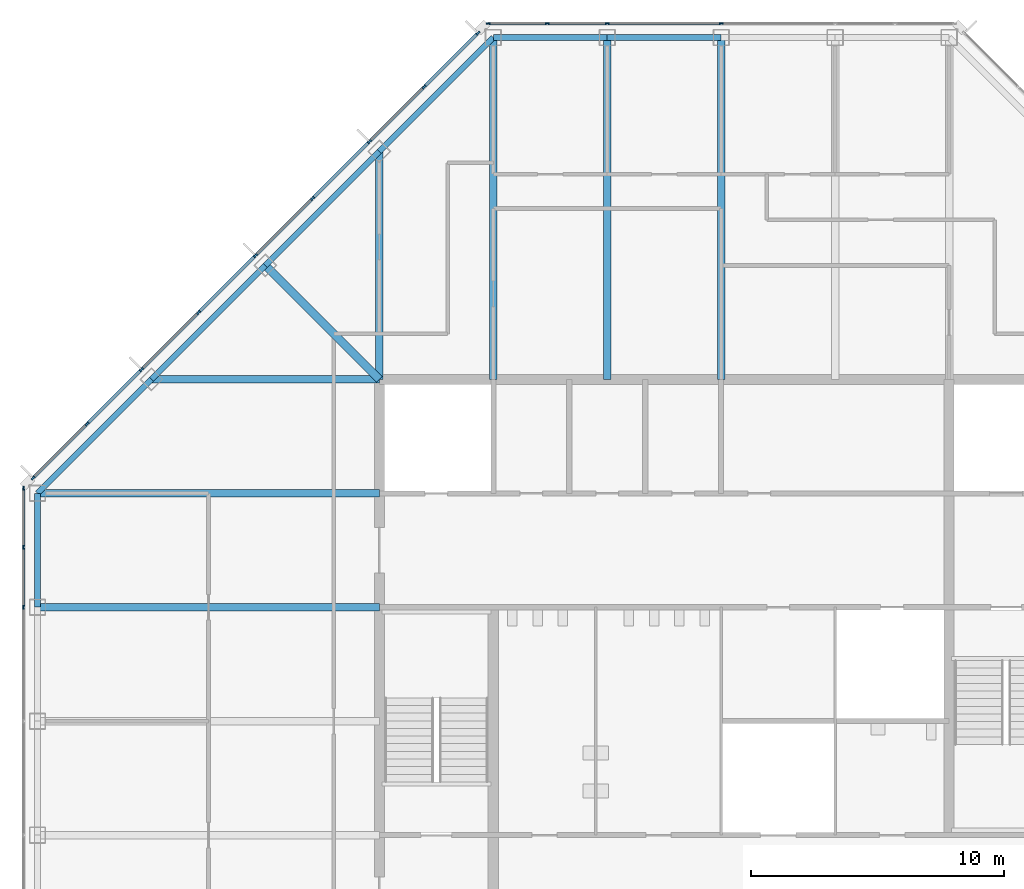
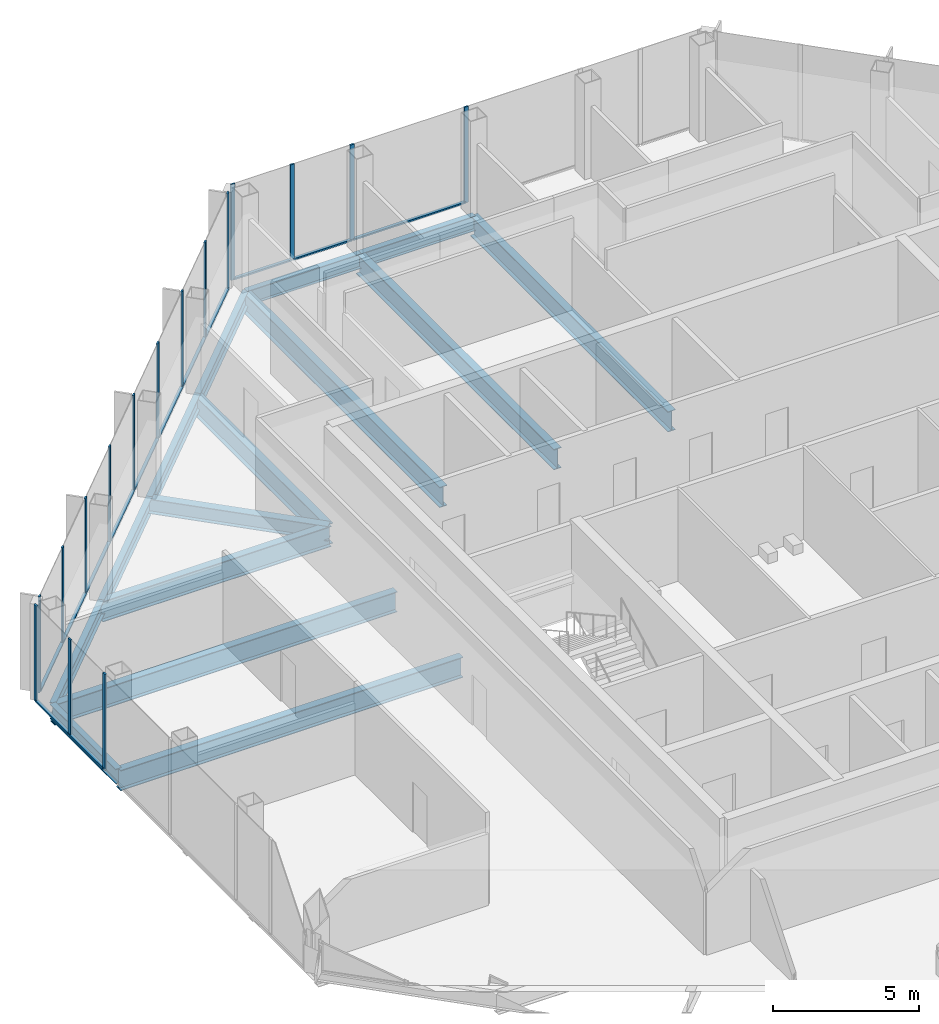
# One storey, part 6 of 14: 29 members, 15 beams, 3 elements without a shape of their own.
"""IFC4 building model written with IfcOpenShell, lengths in metres."""

from ifc_helpers import new_model, si_unit, direction, frame, origin, origin_2d, place, context, subcontext, project, spatial, rectangle, i_section, extrude, material, material_profile, profile_set, type_object, element, aggregate, save


model = new_model("IFC4")

# Units and contexts
model_context = context("Model", 3, precision=1e-05, world=origin(), true_north=direction((0.0, 1.0)))
body_context = subcontext(model_context, "Body", "Model", "MODEL_VIEW")
ifc_project = project(units=[si_unit("LENGTHUNIT", "METRE"), si_unit("AREAUNIT", "SQUARE_METRE"), si_unit("VOLUMEUNIT", "CUBIC_METRE"), si_unit("PLANEANGLEUNIT", "RADIAN"), si_unit("MASSUNIT", "GRAM", prefix="KILO")], contexts=[model_context])

# Site, building, storey
site_placement = place(None, origin())
site = spatial("IfcSite", under=ifc_project, at=site_placement, CompositionType="ELEMENT")
building_placement = place(site_placement, origin())
building = spatial("IfcBuilding", under=site, at=building_placement, Name="Corais Broadcast Tower", CompositionType="ELEMENT")
storey_placement = place(building_placement, frame((0.0, 0.0, 258.60009765625)))
storey = spatial("IfcBuildingStorey", under=building, at=storey_placement, Name="L60", CompositionType="ELEMENT", Elevation=258.60009765625)

# Beams
ifc_material_1 = material(Name="Steel ASTM A572 Grade 50", Category="steel")
ifc_material_profile_1 = material_profile(ifc_material_1, i_section(OverallWidth=0.323974609375, OverallDepth=0.611083984375, WebThickness=0.0126953125, FlangeThickness=0.01904296875, at=origin_2d()), Name="W610x155")
ifc_profile_set_1 = profile_set([ifc_material_profile_1], Name="Steel ASTM A572 Grade 50")
beam_type_1 = type_object("IfcBeamType", Name="Corner diagonal W610x155", PredefinedType="BEAM", material=ifc_profile_set_1)
beam_1_placement = place(storey_placement, frame((9.0, 45.0, -0.465576171875), z_axis=(0.707106781187, -0.707106781187, 0.0), x_axis=(0.707106781187, 0.707106781187, 0.0)))
element("IfcBeam", 1, at=beam_1_placement, inside=storey, type_object=beam_type_1, Name="B6 L/5 to K/6", PredefinedType="BEAM", context=body_context, shape_type="SweptSolid", body=[
    extrude(i_section(OverallWidth=0.323974609375, OverallDepth=0.611083984375, WebThickness=0.0126953125, FlangeThickness=0.01904296875, at=origin_2d()), origin(), (0.0, 0.0, 1.0), 6.364013671875),
])
ifc_material_2 = material(Name="Steel ASTM A572 Grade 50", Category="steel")
ifc_material_profile_2 = material_profile(ifc_material_2, i_section(OverallWidth=0.2939453125, OverallDepth=0.85107421875, WebThickness=0.01611328125, FlangeThickness=0.02685546875, at=origin_2d()), Name="W840x226")
ifc_profile_set_2 = profile_set([ifc_material_profile_2], Name="Steel ASTM A572 Grade 50")
beam_type_2 = type_object("IfcBeamType", Name="Floor beam W840x226", PredefinedType="BEAM", material=ifc_profile_set_2)
for number, where, z_axis, x_axis, name in (
    (2, (0.0, 31.5, -0.585693359375), (1.0, 0.0, 0.0), (0.0, 1.0, 0.0), "B1 H/3 to H/6"),
    (3, (0.0, 36.0, -0.585693359375), (1.0, 0.0, 0.0), (0.0, 1.0, 0.0), "B1 J/3 to J/6"),
):
    element("IfcBeam", number, at=place(storey_placement, frame(where, z_axis=z_axis, x_axis=x_axis)), inside=storey, type_object=beam_type_2, Name=name, PredefinedType="BEAM", context=body_context, shape_type="SweptSolid", body=[
        extrude(i_section(OverallWidth=0.2939453125, OverallDepth=0.85107421875, WebThickness=0.01611328125, FlangeThickness=0.02685546875, at=origin_2d()), origin(), (0.0, 0.0, 1.0), 13.5),
    ])
beam_2_placement = place(storey_placement, frame((13.5, 49.5, -0.585693359375), z_axis=(0.0, -1.0, 0.0), x_axis=(1.0, 0.0, 0.0)))
element("IfcBeam", 4, at=beam_2_placement, inside=storey, type_object=beam_type_2, Name="B1 M/6 to K/6", PredefinedType="BEAM", context=body_context, shape_type="SweptSolid", body=[
    extrude(i_section(OverallWidth=0.2939453125, OverallDepth=0.85107421875, WebThickness=0.01611328125, FlangeThickness=0.02685546875, at=origin_2d()), origin(), (0.0, 0.0, 1.0), 9.0),
])
for number, where, z_axis, x_axis, name in (
    (5, (18.0, 54.0, -0.585693359375), (0.0, -1.0, 0.0), (1.0, 0.0, 0.0), "B1 N/7 to K/7"),
    (6, (22.5, 54.0, -0.585693359375), (0.0, -1.0, 0.0), (1.0, 0.0, 0.0), "B1 N/8 to K/8"),
    (7, (27.0, 54.0, -0.585693359375), (0.0, -1.0, 0.0), (1.0, 0.0, 0.0), "B1 N/9 to K/9"),
):
    element("IfcBeam", number, at=place(storey_placement, frame(where, z_axis=z_axis, x_axis=x_axis)), inside=storey, type_object=beam_type_2, Name=name, PredefinedType="BEAM", context=body_context, shape_type="SweptSolid", body=[
        extrude(i_section(OverallWidth=0.2939453125, OverallDepth=0.85107421875, WebThickness=0.01611328125, FlangeThickness=0.02685546875, at=origin_2d()), origin(), (0.0, 0.0, 1.0), 13.5),
    ])
beam_3_placement = place(storey_placement, frame((4.5, 40.5, -0.585693359375), z_axis=(1.0, 0.0, 0.0), x_axis=(0.0, 1.0, 0.0)))
element("IfcBeam", 8, at=beam_3_placement, inside=storey, type_object=beam_type_2, Name="B1 K/4 to K/6", PredefinedType="BEAM", context=body_context, shape_type="SweptSolid", body=[
    extrude(i_section(OverallWidth=0.2939453125, OverallDepth=0.85107421875, WebThickness=0.01611328125, FlangeThickness=0.02685546875, at=origin_2d()), origin(), (0.0, 0.0, 1.0), 9.0),
])

# Curtain wall, members
ifc_material_3 = material(Name="Aluminium and glass", Category="aluminium")
curtain_wall_type = type_object("IfcCurtainWallType", Name="Unitised fritted curtain wall CW3", PredefinedType="NOTDEFINED", material=ifc_material_3)
curtain_wall_1_placement = place(storey_placement, origin())
curtain_wall_1 = element("IfcCurtainWall", 9, at=curtain_wall_1_placement, inside=storey, type_object=curtain_wall_type, Name="CW3 curtain wall L60 2", PredefinedType="NOTDEFINED")
ifc_material_4 = material(Name="Aluminium 6063-T6", Category="aluminium")
ifc_material_profile_3 = material_profile(ifc_material_4, rectangle(XDim=0.06494140625, YDim=0.159912109375, at=origin_2d()), Name="Mullion CW3 65x160")
ifc_profile_set_3 = profile_set([ifc_material_profile_3], Name="Aluminium 6063-T6")
member_type_1 = type_object("IfcMemberType", Name="Mullion CW3 65x160", PredefinedType="MULLION", material=ifc_profile_set_3)
member_1_placement = place(storey_placement, frame((-0.550048828125, 31.5, 0.0), z_axis=(0.0, 0.0, 1.0), x_axis=(-1.0, 0.0, 0.0)))
member_1 = element("IfcMember", 10, at=member_1_placement, type_object=member_type_1, Name="CW3 mullion 5", PredefinedType="MULLION", context=body_context, shape_type="SweptSolid", body=[
    extrude(rectangle(XDim=0.06494140625, YDim=0.159912109375, at=origin_2d()), origin(), (0.0, 0.0, 1.0), 4.0),
])
member_2_placement = place(storey_placement, frame((-0.550048828125, 33.864013671875, 0.0), z_axis=(0.0, 0.0, 1.0), x_axis=(-1.0, 0.0, 0.0)))
member_2 = element("IfcMember", 11, at=member_2_placement, type_object=member_type_1, Name="CW3 mullion 6", PredefinedType="MULLION", context=body_context, shape_type="SweptSolid", body=[
    extrude(rectangle(XDim=0.06494140625, YDim=0.159912109375, at=origin_2d()), origin(), (0.0, 0.0, 1.0), 4.0),
])
member_3_placement = place(storey_placement, frame((-0.550048828125, 36.1953125, 0.0), z_axis=(0.0, 0.0, 1.0), x_axis=(-1.0, 0.0, 0.0)))
member_3 = element("IfcMember", 12, at=member_3_placement, type_object=member_type_1, Name="CW3 mullion 7", PredefinedType="MULLION", context=body_context, shape_type="SweptSolid", body=[
    extrude(rectangle(XDim=0.06494140625, YDim=0.159912109375, at=origin_2d()), origin(), (0.0, 0.0, 1.0), 4.0),
])

curtain_wall_2_placement = place(storey_placement, origin())
curtain_wall_2 = element("IfcCurtainWall", 13, at=curtain_wall_2_placement, inside=storey, type_object=curtain_wall_type, Name="CW3 curtain wall L60 3", PredefinedType="NOTDEFINED")
member_4_placement = place(storey_placement, frame((-0.17333984375, 36.6044921875, 0.0), z_axis=(0.0, 0.0, 1.0), x_axis=(-0.707106781187, 0.707106781187, 0.0)))
member_4 = element("IfcMember", 14, at=member_4_placement, type_object=member_type_1, Name="CW3 mullion 1", PredefinedType="MULLION", context=body_context, shape_type="SweptSolid", body=[
    extrude(rectangle(XDim=0.06494140625, YDim=0.159912109375, at=origin_2d()), origin(), (0.0, 0.0, 1.0), 4.0),
])
member_5_placement = place(storey_placement, frame((1.957275390625, 38.735107421875, 0.0), z_axis=(0.0, 0.0, 1.0), x_axis=(-0.707106781187, 0.707106781187, 0.0)))
member_5 = element("IfcMember", 15, at=member_5_placement, type_object=member_type_1, Name="CW3 mullion 2", PredefinedType="MULLION", context=body_context, shape_type="SweptSolid", body=[
    extrude(rectangle(XDim=0.06494140625, YDim=0.159912109375, at=origin_2d()), origin(), (0.0, 0.0, 1.0), 4.0),
])
member_6_placement = place(storey_placement, frame((4.111083984375, 40.888916015625, 0.0), z_axis=(0.0, 0.0, 1.0), x_axis=(-0.707106781187, 0.707106781187, 0.0)))
member_6 = element("IfcMember", 16, at=member_6_placement, type_object=member_type_1, Name="CW3 mullion 3", PredefinedType="MULLION", context=body_context, shape_type="SweptSolid", body=[
    extrude(rectangle(XDim=0.06494140625, YDim=0.159912109375, at=origin_2d()), origin(), (0.0, 0.0, 1.0), 4.0),
])
member_7_placement = place(storey_placement, frame((6.361083984375, 43.138916015625, 0.0), z_axis=(0.0, 0.0, 1.0), x_axis=(-0.707106781187, 0.707106781187, 0.0)))
member_7 = element("IfcMember", 17, at=member_7_placement, type_object=member_type_1, Name="CW3 mullion 4", PredefinedType="MULLION", context=body_context, shape_type="SweptSolid", body=[
    extrude(rectangle(XDim=0.06494140625, YDim=0.159912109375, at=origin_2d()), origin(), (0.0, 0.0, 1.0), 4.0),
])
member_8_placement = place(storey_placement, frame((8.611083984375, 45.388916015625, 0.0), z_axis=(0.0, 0.0, 1.0), x_axis=(-0.707106781187, 0.707106781187, 0.0)))
member_8 = element("IfcMember", 18, at=member_8_placement, type_object=member_type_1, Name="CW3 mullion 5", PredefinedType="MULLION", context=body_context, shape_type="SweptSolid", body=[
    extrude(rectangle(XDim=0.06494140625, YDim=0.159912109375, at=origin_2d()), origin(), (0.0, 0.0, 1.0), 4.0),
])
member_9_placement = place(storey_placement, frame((10.861083984375, 47.638916015625, 0.0), z_axis=(0.0, 0.0, 1.0), x_axis=(-0.707106781187, 0.707106781187, 0.0)))
member_9 = element("IfcMember", 19, at=member_9_placement, type_object=member_type_1, Name="CW3 mullion 6", PredefinedType="MULLION", context=body_context, shape_type="SweptSolid", body=[
    extrude(rectangle(XDim=0.06494140625, YDim=0.159912109375, at=origin_2d()), origin(), (0.0, 0.0, 1.0), 4.0),
])
member_10_placement = place(storey_placement, frame((13.111083984375, 49.888916015625, 0.0), z_axis=(0.0, 0.0, 1.0), x_axis=(-0.707106781187, 0.707106781187, 0.0)))
member_10 = element("IfcMember", 20, at=member_10_placement, type_object=member_type_1, Name="CW3 mullion 7", PredefinedType="MULLION", context=body_context, shape_type="SweptSolid", body=[
    extrude(rectangle(XDim=0.06494140625, YDim=0.159912109375, at=origin_2d()), origin(), (0.0, 0.0, 1.0), 4.0),
])
member_11_placement = place(storey_placement, frame((15.264892578125, 52.042724609375, 0.0), z_axis=(0.0, 0.0, 1.0), x_axis=(-0.707106781187, 0.707106781187, 0.0)))
member_11 = element("IfcMember", 21, at=member_11_placement, type_object=member_type_1, Name="CW3 mullion 8", PredefinedType="MULLION", context=body_context, shape_type="SweptSolid", body=[
    extrude(rectangle(XDim=0.06494140625, YDim=0.159912109375, at=origin_2d()), origin(), (0.0, 0.0, 1.0), 4.0),
])
member_12_placement = place(storey_placement, frame((17.3955078125, 54.17333984375, 0.0), z_axis=(0.0, 0.0, 1.0), x_axis=(-0.707106781187, 0.707106781187, 0.0)))
member_12 = element("IfcMember", 22, at=member_12_placement, type_object=member_type_1, Name="CW3 mullion 9", PredefinedType="MULLION", context=body_context, shape_type="SweptSolid", body=[
    extrude(rectangle(XDim=0.06494140625, YDim=0.159912109375, at=origin_2d()), origin(), (0.0, 0.0, 1.0), 4.0),
])

curtain_wall_3_placement = place(storey_placement, origin())
curtain_wall_3 = element("IfcCurtainWall", 23, at=curtain_wall_3_placement, inside=storey, type_object=curtain_wall_type, Name="CW3 curtain wall L60 4", PredefinedType="NOTDEFINED")
member_13_placement = place(storey_placement, frame((17.8046875, 54.550048828125, 0.0), z_axis=(0.0, 0.0, 1.0), x_axis=(0.0, 1.0, 0.0)))
member_13 = element("IfcMember", 24, at=member_13_placement, type_object=member_type_1, Name="CW3 mullion 1", PredefinedType="MULLION", context=body_context, shape_type="SweptSolid", body=[
    extrude(rectangle(XDim=0.06494140625, YDim=0.159912109375, at=origin_2d()), origin(), (0.0, 0.0, 1.0), 4.0),
])
member_14_placement = place(storey_placement, frame((20.135986328125, 54.550048828125, 0.0), z_axis=(0.0, 0.0, 1.0), x_axis=(0.0, 1.0, 0.0)))
member_14 = element("IfcMember", 25, at=member_14_placement, type_object=member_type_1, Name="CW3 mullion 2", PredefinedType="MULLION", context=body_context, shape_type="SweptSolid", body=[
    extrude(rectangle(XDim=0.06494140625, YDim=0.159912109375, at=origin_2d()), origin(), (0.0, 0.0, 1.0), 4.0),
])
member_15_placement = place(storey_placement, frame((22.5, 54.550048828125, 0.0), z_axis=(0.0, 0.0, 1.0), x_axis=(0.0, 1.0, 0.0)))
member_15 = element("IfcMember", 26, at=member_15_placement, type_object=member_type_1, Name="CW3 mullion 3", PredefinedType="MULLION", context=body_context, shape_type="SweptSolid", body=[
    extrude(rectangle(XDim=0.06494140625, YDim=0.159912109375, at=origin_2d()), origin(), (0.0, 0.0, 1.0), 4.0),
])
member_16_placement = place(storey_placement, frame((27.0, 54.550048828125, 0.0), z_axis=(0.0, 0.0, 1.0), x_axis=(0.0, 1.0, 0.0)))
member_16 = element("IfcMember", 27, at=member_16_placement, type_object=member_type_1, Name="CW3 mullion 4", PredefinedType="MULLION", context=body_context, shape_type="SweptSolid", body=[
    extrude(rectangle(XDim=0.06494140625, YDim=0.159912109375, at=origin_2d()), origin(), (0.0, 0.0, 1.0), 4.0),
])

# Beams
ifc_material_5 = material(Name="Steel ASTM A572 Grade 50", Category="steel")
ifc_material_profile_4 = material_profile(ifc_material_5, i_section(OverallWidth=0.22998046875, OverallDepth=0.616943359375, WebThickness=0.01318359375, FlangeThickness=0.022216796875, at=origin_2d()), Name="W610x140")
ifc_profile_set_4 = profile_set([ifc_material_profile_4], Name="Steel ASTM A572 Grade 50")
beam_type_3 = type_object("IfcBeamType", Name="Spandrel W610x140", PredefinedType="BEAM", material=ifc_profile_set_4)
beam_4_placement = place(storey_placement, frame((0.0, 36.0, -0.468505859375), z_axis=(0.0, -1.0, 0.0), x_axis=(1.0, 0.0, 0.0)))
element("IfcBeam", 28, at=beam_4_placement, inside=storey, type_object=beam_type_3, Name="SB3 J/3 to H/3", PredefinedType="BEAM", context=body_context, shape_type="SweptSolid", body=[
    extrude(i_section(OverallWidth=0.22998046875, OverallDepth=0.616943359375, WebThickness=0.01318359375, FlangeThickness=0.022216796875, at=origin_2d()), origin(), (0.0, 0.0, 1.0), 4.5),
])
for number, where, z_axis, x_axis, name in (
    (29, (13.5, 49.5, -0.468505859375), (-0.707106781187, -0.707106781187, 0.0), (0.707106781187, -0.707106781187, 0.0), "SB3 M/6 to L/5"),
    (30, (18.0, 54.0, -0.468505859375), (-0.707106781187, -0.707106781187, 0.0), (0.707106781187, -0.707106781187, 0.0), "SB3 N/7 to M/6"),
):
    element("IfcBeam", number, at=place(storey_placement, frame(where, z_axis=z_axis, x_axis=x_axis)), inside=storey, type_object=beam_type_3, Name=name, PredefinedType="BEAM", context=body_context, shape_type="SweptSolid", body=[
        extrude(i_section(OverallWidth=0.22998046875, OverallDepth=0.616943359375, WebThickness=0.01318359375, FlangeThickness=0.022216796875, at=origin_2d()), origin(), (0.0, 0.0, 1.0), 6.364013671875),
    ])
for number, where, z_axis, x_axis, name in (
    (31, (22.5, 54.0, -0.468505859375), (-1.0, 0.0, 0.0), (0.0, -1.0, 0.0), "SB3 N/8 to N/7"),
    (32, (27.0, 54.0, -0.468505859375), (-1.0, 0.0, 0.0), (0.0, -1.0, 0.0), "SB3 N/9 to N/8"),
):
    element("IfcBeam", number, at=place(storey_placement, frame(where, z_axis=z_axis, x_axis=x_axis)), inside=storey, type_object=beam_type_3, Name=name, PredefinedType="BEAM", context=body_context, shape_type="SweptSolid", body=[
        extrude(i_section(OverallWidth=0.22998046875, OverallDepth=0.616943359375, WebThickness=0.01318359375, FlangeThickness=0.022216796875, at=origin_2d()), origin(), (0.0, 0.0, 1.0), 4.5),
    ])
for number, where, z_axis, x_axis, name in (
    (33, (4.5, 40.5, -0.468505859375), (-0.707106781187, -0.707106781187, 0.0), (0.707106781187, -0.707106781187, 0.0), "SB3 K/4 to J/3"),
    (34, (9.0, 45.0, -0.468505859375), (-0.707106781187, -0.707106781187, 0.0), (0.707106781187, -0.707106781187, 0.0), "SB3 L/5 to K/4"),
):
    element("IfcBeam", number, at=place(storey_placement, frame(where, z_axis=z_axis, x_axis=x_axis)), inside=storey, type_object=beam_type_3, Name=name, PredefinedType="BEAM", context=body_context, shape_type="SweptSolid", body=[
        extrude(i_section(OverallWidth=0.22998046875, OverallDepth=0.616943359375, WebThickness=0.01318359375, FlangeThickness=0.022216796875, at=origin_2d()), origin(), (0.0, 0.0, 1.0), 6.364013671875),
    ])

# Member
ifc_material_6 = material(Name="Aluminium 6063-T6", Category="aluminium")
ifc_material_profile_5 = material_profile(ifc_material_6, rectangle(XDim=0.1201171875, YDim=0.06494140625, at=origin_2d()), Name="Transom CW3 65x120")
ifc_profile_set_5 = profile_set([ifc_material_profile_5], Name="Aluminium 6063-T6")
member_type_2 = type_object("IfcMemberType", Name="Transom CW3 65x120", PredefinedType="USERDEFINED", material=ifc_profile_set_5)
member_17_placement = place(storey_placement, frame((-0.550048828125, 31.532470703125, 0.032470703125), z_axis=(0.0, 1.0, 0.0), x_axis=(-1.0, 0.0, 0.0)))
member_17 = element("IfcMember", 35, at=member_17_placement, type_object=member_type_2, Name="CW3 transom 5.1", ObjectType="TRANSOM", PredefinedType="USERDEFINED", context=body_context, shape_type="SweptSolid", body=[
    extrude(rectangle(XDim=0.1201171875, YDim=0.06494140625, at=origin_2d()), origin(), (0.0, 0.0, 1.0), 2.298828125),
])

member_18_placement = place(storey_placement, frame((-0.550048828125, 33.896484375, 0.032470703125), z_axis=(0.0, 1.0, 0.0), x_axis=(-1.0, 0.0, 0.0)))
member_18 = element("IfcMember", 36, at=member_18_placement, type_object=member_type_2, Name="CW3 transom 6.1", ObjectType="TRANSOM", PredefinedType="USERDEFINED", context=body_context, shape_type="SweptSolid", body=[
    extrude(rectangle(XDim=0.1201171875, YDim=0.06494140625, at=origin_2d()), origin(), (0.0, 0.0, 1.0), 2.266357421875),
])

aggregate(curtain_wall_1, [member_1, member_2, member_3, member_17, member_18])

member_19_placement = place(storey_placement, frame((-0.150390625, 36.62744140625, 0.032470703125), z_axis=(0.707106781187, 0.707106781187, 0.0), x_axis=(-0.707106781187, 0.707106781187, 0.0)))
member_19 = element("IfcMember", 37, at=member_19_placement, type_object=member_type_2, Name="CW3 transom 1.1", ObjectType="TRANSOM", PredefinedType="USERDEFINED", context=body_context, shape_type="SweptSolid", body=[
    extrude(rectangle(XDim=0.1201171875, YDim=0.06494140625, at=origin_2d()), origin(), (0.0, 0.0, 1.0), 2.9482421875),
])

member_20_placement = place(storey_placement, frame((1.980224609375, 38.758056640625, 0.032470703125), z_axis=(0.707106781187, 0.707106781187, 0.0), x_axis=(-0.707106781187, 0.707106781187, 0.0)))
member_20 = element("IfcMember", 38, at=member_20_placement, type_object=member_type_2, Name="CW3 transom 2.1", ObjectType="TRANSOM", PredefinedType="USERDEFINED", context=body_context, shape_type="SweptSolid", body=[
    extrude(rectangle(XDim=0.1201171875, YDim=0.06494140625, at=origin_2d()), origin(), (0.0, 0.0, 1.0), 2.98095703125),
])

member_21_placement = place(storey_placement, frame((4.134033203125, 40.911865234375, 0.032470703125), z_axis=(0.707106781187, 0.707106781187, 0.0), x_axis=(-0.707106781187, 0.707106781187, 0.0)))
member_21 = element("IfcMember", 39, at=member_21_placement, type_object=member_type_2, Name="CW3 transom 3.1", ObjectType="TRANSOM", PredefinedType="USERDEFINED", context=body_context, shape_type="SweptSolid", body=[
    extrude(rectangle(XDim=0.1201171875, YDim=0.06494140625, at=origin_2d()), origin(), (0.0, 0.0, 1.0), 3.1171875),
])

member_22_placement = place(storey_placement, frame((6.384033203125, 43.161865234375, 0.032470703125), z_axis=(0.707106781187, 0.707106781187, 0.0), x_axis=(-0.707106781187, 0.707106781187, 0.0)))
member_22 = element("IfcMember", 40, at=member_22_placement, type_object=member_type_2, Name="CW3 transom 4.1", ObjectType="TRANSOM", PredefinedType="USERDEFINED", context=body_context, shape_type="SweptSolid", body=[
    extrude(rectangle(XDim=0.1201171875, YDim=0.06494140625, at=origin_2d()), origin(), (0.0, 0.0, 1.0), 3.1171875),
])

member_23_placement = place(storey_placement, frame((8.634033203125, 45.411865234375, 0.032470703125), z_axis=(0.707106781187, 0.707106781187, 0.0), x_axis=(-0.707106781187, 0.707106781187, 0.0)))
member_23 = element("IfcMember", 41, at=member_23_placement, type_object=member_type_2, Name="CW3 transom 5.1", ObjectType="TRANSOM", PredefinedType="USERDEFINED", context=body_context, shape_type="SweptSolid", body=[
    extrude(rectangle(XDim=0.1201171875, YDim=0.06494140625, at=origin_2d()), origin(), (0.0, 0.0, 1.0), 3.1171875),
])

member_24_placement = place(storey_placement, frame((10.884033203125, 47.661865234375, 0.032470703125), z_axis=(0.707106781187, 0.707106781187, 0.0), x_axis=(-0.707106781187, 0.707106781187, 0.0)))
member_24 = element("IfcMember", 42, at=member_24_placement, type_object=member_type_2, Name="CW3 transom 6.1", ObjectType="TRANSOM", PredefinedType="USERDEFINED", context=body_context, shape_type="SweptSolid", body=[
    extrude(rectangle(XDim=0.1201171875, YDim=0.06494140625, at=origin_2d()), origin(), (0.0, 0.0, 1.0), 3.1171875),
])

member_25_placement = place(storey_placement, frame((13.134033203125, 49.911865234375, 0.032470703125), z_axis=(0.70714773134, 0.707065828661, 0.0), x_axis=(-0.707065828661, 0.70714773134, 0.0)))
member_25 = element("IfcMember", 43, at=member_25_placement, type_object=member_type_2, Name="CW3 transom 7.1", ObjectType="TRANSOM", PredefinedType="USERDEFINED", context=body_context, shape_type="SweptSolid", body=[
    extrude(rectangle(XDim=0.1201171875, YDim=0.06494140625, at=origin_2d()), origin(), (0.0, 0.0, 1.0), 2.98095703125),
])

member_26_placement = place(storey_placement, frame((15.287841796875, 52.065673828125, 0.032470703125), z_axis=(0.707106781187, 0.707106781187, 0.0), x_axis=(-0.707106781187, 0.707106781187, 0.0)))
member_26 = element("IfcMember", 44, at=member_26_placement, type_object=member_type_2, Name="CW3 transom 8.1", ObjectType="TRANSOM", PredefinedType="USERDEFINED", context=body_context, shape_type="SweptSolid", body=[
    extrude(rectangle(XDim=0.1201171875, YDim=0.06494140625, at=origin_2d()), origin(), (0.0, 0.0, 1.0), 2.9482421875),
])

aggregate(curtain_wall_2, [member_4, member_5, member_6, member_7, member_8, member_9, member_10, member_11, member_12, member_19, member_20, member_21, member_22, member_23, member_24, member_25, member_26])

member_27_placement = place(storey_placement, frame((17.837158203125, 54.550048828125, 0.032470703125), z_axis=(1.0, 0.0, 0.0), x_axis=(0.0, 1.0, 0.0)))
member_27 = element("IfcMember", 45, at=member_27_placement, type_object=member_type_2, Name="CW3 transom 1.1", ObjectType="TRANSOM", PredefinedType="USERDEFINED", context=body_context, shape_type="SweptSolid", body=[
    extrude(rectangle(XDim=0.1201171875, YDim=0.06494140625, at=origin_2d()), origin(), (0.0, 0.0, 1.0), 2.266357421875),
])

member_28_placement = place(storey_placement, frame((20.168701171875, 54.550048828125, 0.032470703125), z_axis=(1.0, 0.0, 0.0), x_axis=(0.0, 1.0, 0.0)))
member_28 = element("IfcMember", 46, at=member_28_placement, type_object=member_type_2, Name="CW3 transom 2.1", ObjectType="TRANSOM", PredefinedType="USERDEFINED", context=body_context, shape_type="SweptSolid", body=[
    extrude(rectangle(XDim=0.1201171875, YDim=0.06494140625, at=origin_2d()), origin(), (0.0, 0.0, 1.0), 2.298828125),
])

member_29_placement = place(storey_placement, frame((22.532470703125, 54.550048828125, 0.032470703125), z_axis=(1.0, 0.0, 0.0), x_axis=(0.0, 1.0, 0.0)))
member_29 = element("IfcMember", 47, at=member_29_placement, type_object=member_type_2, Name="CW3 transom 3.1", ObjectType="TRANSOM", PredefinedType="USERDEFINED", context=body_context, shape_type="SweptSolid", body=[
    extrude(rectangle(XDim=0.1201171875, YDim=0.06494140625, at=origin_2d()), origin(), (0.0, 0.0, 1.0), 4.43505859375),
])

aggregate(curtain_wall_3, [member_13, member_14, member_15, member_16, member_27, member_28, member_29])

save(model, "model.ifc")
